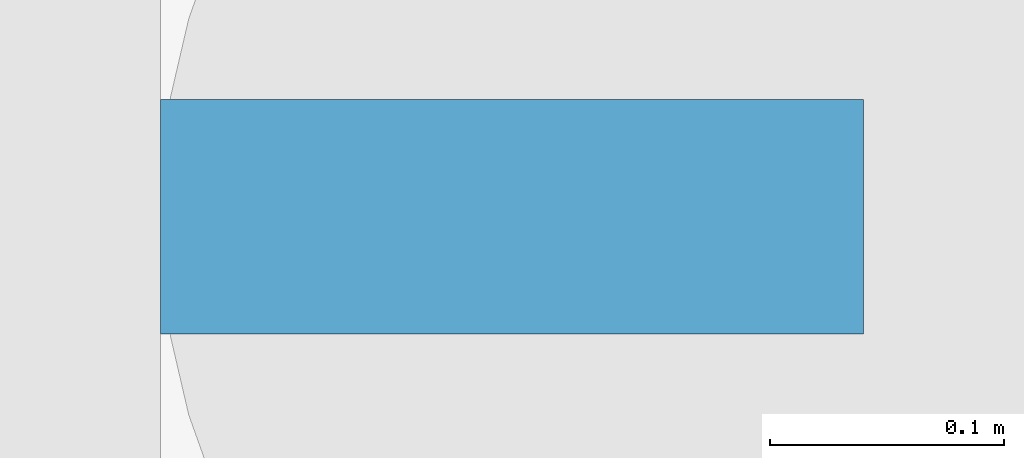
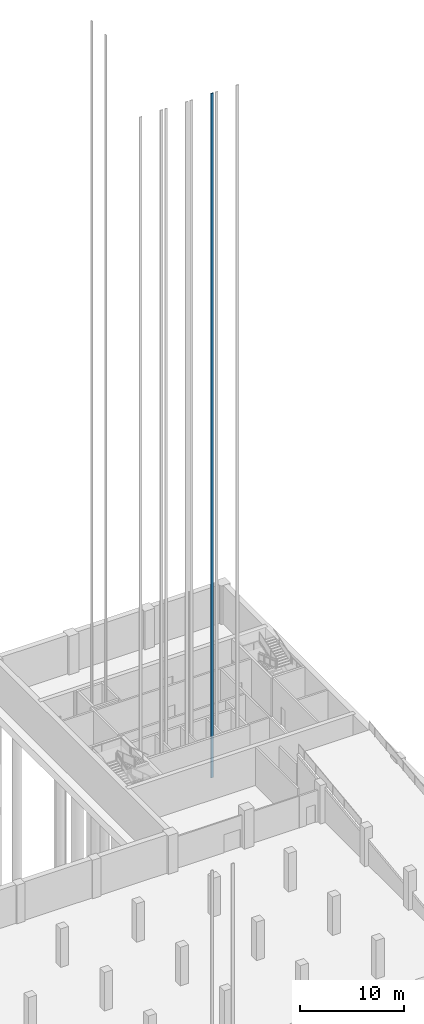
# One storey, part 17 of 26: 1 discrete accessory.
"""IFC4 building model written with IfcOpenShell, lengths in metres."""

from ifc_helpers import new_model, si_unit, direction, frame, origin, origin_2d, place, context, subcontext, project, spatial, rectangle, extrude, material, type_object, element, save


model = new_model("IFC4")

# Units and contexts
model_context = context("Model", 3, precision=1e-05, world=origin(), true_north=direction((0.0, 1.0)))
body_context = subcontext(model_context, "Body", "Model", "MODEL_VIEW")
ifc_project = project(units=[si_unit("LENGTHUNIT", "METRE"), si_unit("AREAUNIT", "SQUARE_METRE"), si_unit("VOLUMEUNIT", "CUBIC_METRE"), si_unit("PLANEANGLEUNIT", "RADIAN"), si_unit("MASSUNIT", "GRAM", prefix="KILO")], contexts=[model_context])

# Site, building, storey
site_placement = place(None, origin())
site = spatial("IfcSite", under=ifc_project, at=site_placement, CompositionType="ELEMENT")
building_placement = place(site_placement, origin())
building = spatial("IfcBuilding", under=site, at=building_placement, Name="Rulbaag Community and Learning Centre", CompositionType="ELEMENT")
storey_placement = place(building_placement, frame((0.0, 0.0, -9.60009765625)))
storey = spatial("IfcBuildingStorey", under=building, at=storey_placement, Name="B2", CompositionType="ELEMENT", Elevation=-9.60009765625)

# Discrete accessory
ifc_material = material(Name="Steel E350", Category="steel")
discrete_accessory_type = type_object("IfcDiscreteAccessoryType", Name="LR-GUIDE RAIL 300 x 100", PredefinedType="BRACKET", material=ifc_material)
discrete_accessory_placement = place(storey_placement, frame((155.050048828125, 97.25, -1.5), z_axis=(0.0, 0.0, 1.0), x_axis=(1.0, 0.0, 0.0)))
element("IfcDiscreteAccessory", 1, at=discrete_accessory_placement, inside=storey, type_object=discrete_accessory_type, Name="Guide rail LP3 E", PredefinedType="BRACKET", context=body_context, shape_type="SweptSolid", body=[
    extrude(rectangle(XDim=0.300048828125, YDim=0.10009765625, at=origin_2d()), origin(), (0.0, 0.0, 1.0), 80.0),
])

save(model, "model.ifc")
